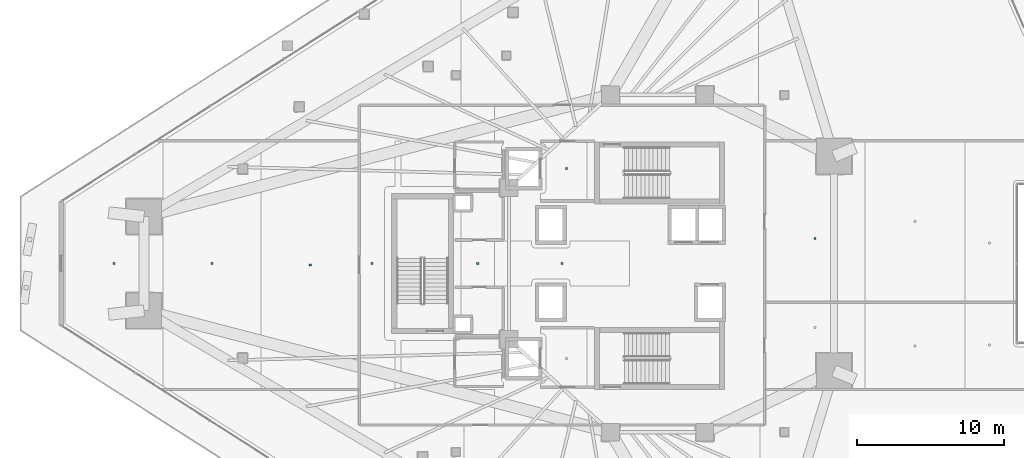
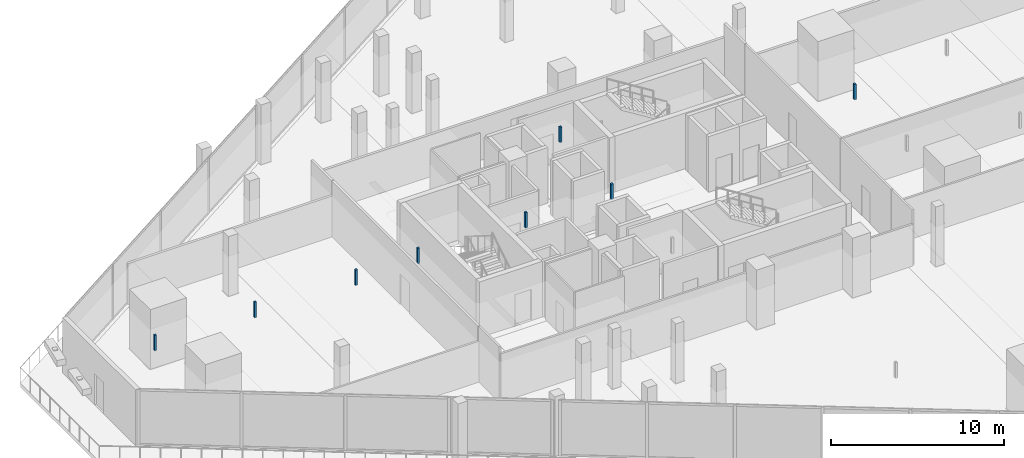
# One storey, part 32 of 42: 8 discrete accessories.
"""IFC4 building model written with IfcOpenShell, lengths in metres."""

from ifc_helpers import new_model, si_unit, direction, frame, origin, origin_2d, place, context, subcontext, project, spatial, rectangle, extrude, material, type_object, element, save


model = new_model("IFC4")

# Units and contexts
model_context = context("Model", 3, precision=1e-05, world=origin(), true_north=direction((0.0, 1.0)))
body_context = subcontext(model_context, "Body", "Model", "MODEL_VIEW")
ifc_project = project(units=[si_unit("LENGTHUNIT", "METRE"), si_unit("AREAUNIT", "SQUARE_METRE"), si_unit("VOLUMEUNIT", "CUBIC_METRE"), si_unit("PLANEANGLEUNIT", "RADIAN"), si_unit("MASSUNIT", "GRAM", prefix="KILO")], contexts=[model_context])

# Site, building, storey
site_placement = place(None, origin())
site = spatial("IfcSite", under=ifc_project, at=site_placement, CompositionType="ELEMENT")
building_placement = place(site_placement, origin())
building = spatial("IfcBuilding", under=site, at=building_placement, Name="Qorvath Tower", CompositionType="ELEMENT")
storey_placement = place(building_placement, frame((0.0, 0.0, 32.39990234375)))
storey = spatial("IfcBuildingStorey", under=building, at=storey_placement, Name="L06", CompositionType="ELEMENT", Elevation=32.39990234375)

# Discrete accessories
ifc_material = material(Name="Galvanised steel bracket", Category="steel")
discrete_accessory_type = type_object("IfcDiscreteAccessoryType", Name="DA-BRACKET", PredefinedType="BRACKET", material=ifc_material)
for number, where, z_axis, x_axis, name in (
    (1, (-26.590087890625, 6.449951171875, 2.85986328125), (0.0, 0.0, 1.0), (1.0, 0.0, 0.0), "Acoustic Ceiling Suspension Hanger T1-L06-001"),
    (2, (-39.797607421875, 0.0, 2.85986328125), (0.0, 0.0, 1.0), (1.0, 0.0, 0.0), "Acoustic Ceiling Suspension Hanger T1-L06-007"),
    (3, (-32.620849609375, 0.0, 2.85986328125), (0.0, 0.0, 1.0), (1.0, 0.0, 0.0), "Acoustic Ceiling Suspension Hanger T1-L06-008"),
    (4, (-26.89990234375, 0.0, 2.85986328125), (0.0, 0.0, 1.0), (1.0, 0.0, 0.0), "Acoustic Ceiling Suspension Hanger T1-L06-009"),
    (5, (-9.7333984375, 1.693115234375, 2.85986328125), (0.0, 0.0, 1.0), (1.0, 0.0, 0.0), "Acoustic Ceiling Suspension Hanger T1-L06-016"),
    (6, (-57.316650390625, 0.0, 2.85986328125), (0.0, 0.0, 1.0), (1.0, 0.0, 0.0), "Acoustic Ceiling Suspension Hanger T1-L06-022"),
    (7, (-50.6552734375, 0.0, 2.85986328125), (0.0, 0.0, 1.0), (1.0, 0.0, 0.0), "Acoustic Ceiling Suspension Hanger T1-L06-023"),
    (8, (-43.99365234375, -0.10009765625, 2.85986328125), (0.0, 0.0, 1.0), (1.0, 0.0, 0.0), "Acoustic Ceiling Suspension Hanger T1-L06-024"),
):
    element("IfcDiscreteAccessory", number, at=place(storey_placement, frame(where, z_axis=z_axis, x_axis=x_axis)), inside=storey, type_object=discrete_accessory_type, Name=name, PredefinedType="NOTDEFINED", context=body_context, shape_type="SweptSolid", body=[
        extrude(rectangle(XDim=0.139892578125, YDim=0.139892578125, at=origin_2d()), origin(), (0.0, 0.0, 1.0), 1.090087890625),
    ])

save(model, "model.ifc")
